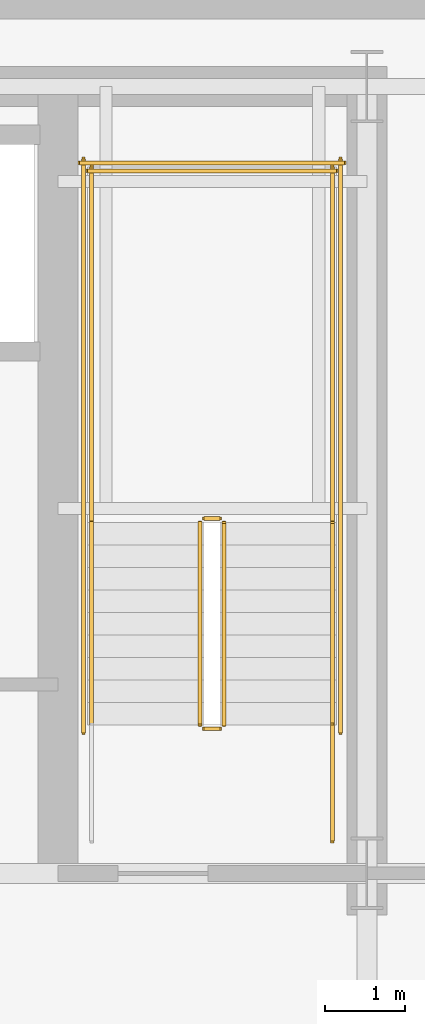
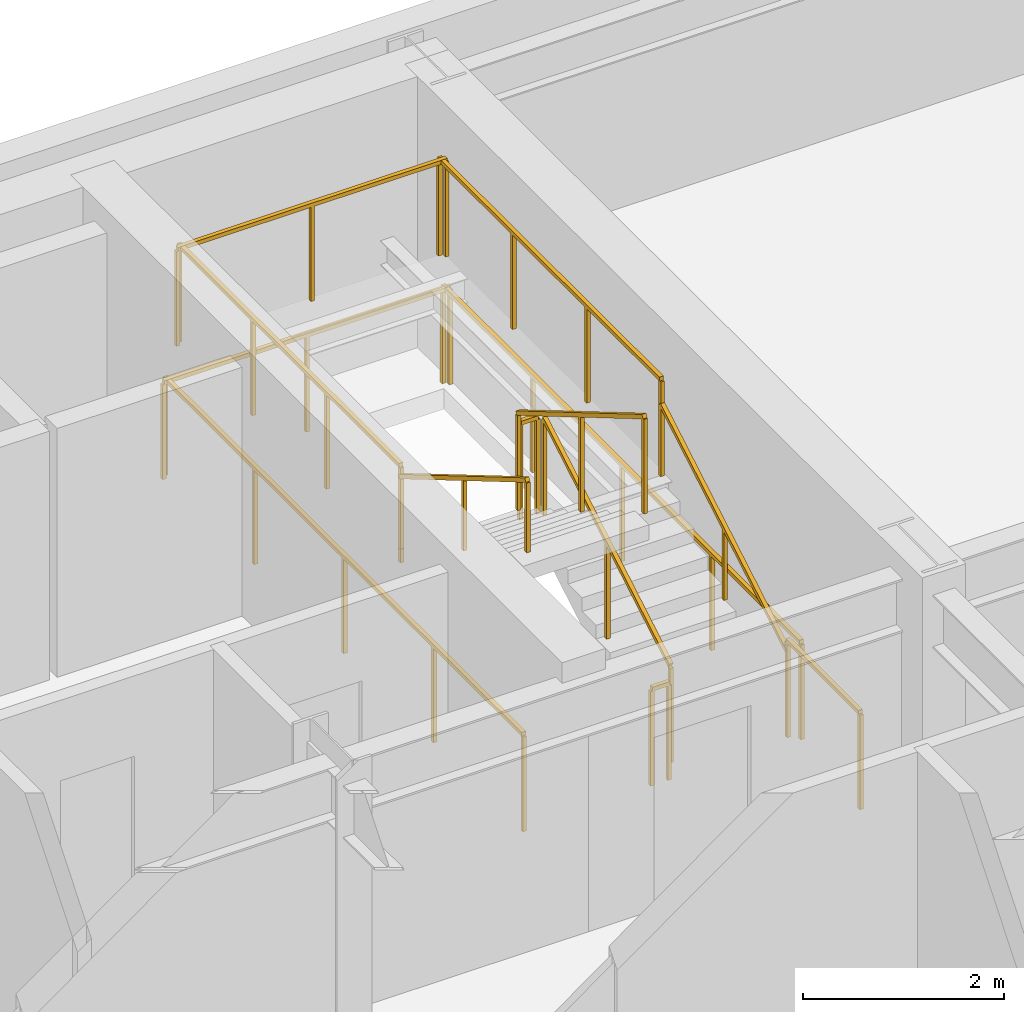
# One storey, part 12 of 14: 13 railings.
"""IFC4 building model written with IfcOpenShell, lengths in metres."""

import ifcopenshell
import ifcopenshell.guid

model = None  # the IFC model being written
_history = None  # IfcOwnerHistory: only IFC2X3 demands one
_inside = {}  # id of a spatial element -> (the spatial element, [elements in it])
_under = {}  # id of a project, library or spatial element -> (it, [spatial elements below it])
_declared = {}  # id of a project -> (the project, [libraries it declares])
_typed = {}  # id of a type object -> (the type object, [elements of that type])
_made_of = {}  # id of a material, layer set ... -> (it, [elements and type objects made of it])


def new_model(schema):
    """Start an empty IFC model of exactly this schema.

    Asked for "IFC4X3", IfcOpenShell would pick the latest addendum, in which some entities
    have other attributes; the version numbers below select the first issue.
    IFC2X3 requires an IfcOwnerHistory on every rooted entity: one is made here for all.
    """
    global model, _history
    if schema == "IFC4X3":
        model = ifcopenshell.file(schema_version=(4, 3, 0, 0))
    else:
        model = ifcopenshell.file(schema=schema)
    _inside.clear()
    _under.clear()
    _declared.clear()
    _typed.clear()
    _made_of.clear()
    _history = None
    if model.schema == "IFC2X3":
        org = make("IfcOrganization", Name="unknown")
        user = make(
            "IfcPersonAndOrganization",
            ThePerson=make("IfcPerson", FamilyName="unknown"),
            TheOrganization=org,
        )
        app = make(
            "IfcApplication",
            ApplicationDeveloper=org,
            Version="unknown",
            ApplicationFullName="unknown",
            ApplicationIdentifier="unknown",
        )
        _history = make(
            "IfcOwnerHistory",
            OwningUser=user,
            OwningApplication=app,
            ChangeAction="ADDED",
            CreationDate=0,
        )
    return model


def make(cls, **values):
    """One entity of the class cls with the attributes given. An attribute that is None is left unset."""
    return model.create_entity(
        cls, **{name: value for name, value in values.items() if value is not None}
    )


def rooted(cls, **values):
    """An entity with a GlobalId (a new one), such as an element, a storey or a relation."""
    return make(cls, GlobalId=ifcopenshell.guid.new(), OwnerHistory=_history, **values)


def si_unit(unit_type, name, prefix=None):
    """IfcSIUnit, for example si_unit("LENGTHUNIT", "METRE", prefix="MILLI")."""
    return make("IfcSIUnit", UnitType=unit_type, Prefix=prefix, Name=name)


def assignment(units):
    """IfcUnitAssignment: the units of a project."""
    return None if units is None else make("IfcUnitAssignment", Units=units)


def point(xyz):
    """IfcCartesianPoint."""
    return None if xyz is None else make("IfcCartesianPoint", Coordinates=xyz)


def direction(xyz):
    """IfcDirection."""
    return None if xyz is None else make("IfcDirection", DirectionRatios=xyz)


def frame(location, z_axis=None, x_axis=None):
    """IfcAxis2Placement3D, a coordinate frame: its origin and axes. An axis left out is left unset."""
    return make(
        "IfcAxis2Placement3D",
        Location=point(location),
        Axis=direction(z_axis),
        RefDirection=direction(x_axis),
    )


def frame_2d(location, x_axis=None):
    """IfcAxis2Placement2D, a coordinate frame in the plane: its origin and x axis."""
    return make(
        "IfcAxis2Placement2D", Location=point(location), RefDirection=direction(x_axis)
    )


def origin():
    """The frame at (0, 0, 0) with its axes left unset."""
    return frame((0.0, 0.0, 0.0))


def origin_2d():
    """The frame at (0, 0) in the plane with its x axis left unset."""
    return frame_2d((0.0, 0.0))


def place(relative_to, where):
    """IfcLocalPlacement: puts the frame where relative to a parent placement (None: the world)."""
    return make(
        "IfcLocalPlacement", PlacementRelTo=relative_to, RelativePlacement=where
    )


def context(
    kind, dimensions, precision=None, world=None, true_north=None, identifier=None
):
    """IfcGeometricRepresentationContext, for example the 3D "Model" context."""
    return make(
        "IfcGeometricRepresentationContext",
        ContextIdentifier=identifier,
        ContextType=kind,
        CoordinateSpaceDimension=dimensions,
        Precision=precision,
        WorldCoordinateSystem=world,
        TrueNorth=true_north,
    )


def subcontext(parent, identifier, kind, view, scale=None):
    """IfcGeometricRepresentationSubContext, for example "Body" below "Model"."""
    return make(
        "IfcGeometricRepresentationSubContext",
        ContextIdentifier=identifier,
        ContextType=kind,
        ParentContext=parent,
        TargetScale=scale,
        TargetView=view,
    )


def project(units=None, contexts=None):
    """IfcProject with its units and contexts."""
    return rooted(
        "IfcProject",
        Name="project",
        RepresentationContexts=contexts,
        UnitsInContext=assignment(units),
    )


def spatial(cls, under=None, at=None, **own):
    """A site, building, storey or space (cls), placed at a placement, below another one or the project."""
    s = rooted(cls, ObjectPlacement=at, **own)
    if under is not None:
        _under.setdefault(under.id(), (under, []))[1].append(s)
    return s


def profile(cls, at=None, kind="AREA", **sizes):
    """A parametric profile (cls). Its sizes go by their IFC names, for example OverallWidth=200.0."""
    return make(cls, ProfileType=kind, Position=at, **sizes)


def rectangle(**sizes):
    """IfcRectangleProfileDef."""
    return profile("IfcRectangleProfileDef", **sizes)


def extrude(swept, where, along, depth):
    """IfcExtrudedAreaSolid: the profile swept, set in the frame where, extruded along a direction by depth."""
    return make(
        "IfcExtrudedAreaSolid",
        SweptArea=swept,
        Position=where,
        ExtrudedDirection=direction(along),
        Depth=depth,
    )


def shape(context_of_items, identifier, shape_type, items):
    """IfcShapeRepresentation: the items that make up one representation, for example the "Body"."""
    return make(
        "IfcShapeRepresentation",
        ContextOfItems=context_of_items,
        RepresentationIdentifier=identifier,
        RepresentationType=shape_type,
        Items=items,
    )


def material(Name=None, Category=None):
    """IfcMaterial."""
    return make("IfcMaterial", Name=Name, Category=Category)


def made_of(thing, what):
    """Note that an element or type object is made of a material, layer set ...; save() writes the relation."""
    if what is not None:
        _made_of.setdefault(what.id(), (what, []))[1].append(thing)
    return thing


def type_object(cls, material=None, **own):
    """A type object (cls), such as IfcWallType, which elements share."""
    return made_of(rooted(cls, **own), material)


def element(
    cls,
    number,
    at=None,
    inside=None,
    cuts=None,
    type_object=None,
    material=None,
    context=None,
    identifier="Body",
    shape_type=None,
    held_by="IfcProductDefinitionShape",
    body=None,
    shapes=None,
    **own,
):
    """One element of the class cls, such as IfcWall. Its Tag is "e" and its number.

    at: its placement. inside: the storey or other place that contains it. cuts: it is an
    opening in that element (IfcRelVoidsElement). A single representation is given by context,
    identifier, shape_type and body (its items); several are given by shapes. held_by: the class
    of the entity that holds the representations. save() writes the other relations.
    """
    e = rooted(cls, Tag="e%d" % number, ObjectPlacement=at, **own)
    if body is not None:
        shapes = [shape(context, identifier, shape_type, body)]
    if shapes is not None:
        e.Representation = make(held_by, Representations=shapes)
    if inside is not None:
        _inside.setdefault(inside.id(), (inside, []))[1].append(e)
    if cuts is not None:
        rooted(
            "IfcRelVoidsElement", RelatingBuildingElement=cuts, RelatedOpeningElement=e
        )
    if type_object is not None:
        _typed.setdefault(type_object.id(), (type_object, []))[1].append(e)
    return made_of(e, material)


def aggregate(whole, parts):
    """IfcRelAggregates: a whole, such as a stair, and the parts it consists of."""
    return rooted("IfcRelAggregates", RelatingObject=whole, RelatedObjects=parts)


def save(model, path):
    """Write the relations noted so far, then the file.

    IfcRelAggregates (storeys below a building ...), IfcRelContainedInSpatialStructure (elements
    in a storey), IfcRelDefinesByType, IfcRelAssociatesMaterial and IfcRelDeclares: one each for
    every whole, place, type object, material and project.
    """
    for whole, parts in _under.values():
        aggregate(whole, parts)
    for where, things in _inside.values():
        rooted(
            "IfcRelContainedInSpatialStructure",
            RelatedElements=things,
            RelatingStructure=where,
        )
    for kind, things in _typed.values():
        rooted("IfcRelDefinesByType", RelatedObjects=things, RelatingType=kind)
    for what, things in _made_of.values():
        rooted("IfcRelAssociatesMaterial", RelatedObjects=things, RelatingMaterial=what)
    for by, libraries in _declared.values():
        rooted("IfcRelDeclares", RelatingContext=by, RelatedDefinitions=libraries)
    model.write(path)


model = new_model("IFC4")

# Units and contexts
model_context = context("Model", 3, precision=1e-05, world=origin(), true_north=direction((0.0, 1.0)))
body_context = subcontext(model_context, "Body", "Model", "MODEL_VIEW")
ifc_project = project(units=[si_unit("LENGTHUNIT", "METRE"), si_unit("AREAUNIT", "SQUARE_METRE"), si_unit("VOLUMEUNIT", "CUBIC_METRE"), si_unit("PLANEANGLEUNIT", "RADIAN"), si_unit("MASSUNIT", "GRAM", prefix="KILO")], contexts=[model_context])

# Site, building, storey
site_placement = place(None, origin())
site = spatial("IfcSite", under=ifc_project, at=site_placement, CompositionType="ELEMENT")
building_placement = place(site_placement, origin())
building = spatial("IfcBuilding", under=site, at=building_placement, Name="Haevon Station Towers", CompositionType="ELEMENT")
storey_placement = place(building_placement, frame((0.0, 0.0, 86.699951171875)))
storey = spatial("IfcBuildingStorey", under=building, at=storey_placement, Name="L22", CompositionType="ELEMENT", Elevation=86.699951171875)

# Railings
ifc_material = material(Name="Steel S355", Category="steel")
railing_type_1 = type_object("IfcRailingType", Name="GRD-STR1200", PredefinedType="GUARDRAIL", material=ifc_material)
railing_1_placement = place(storey_placement, frame((49.219970703125, 40.050048828125, 0.1650390625)))
element("IfcRailing", 1, at=railing_1_placement, inside=storey, type_object=railing_type_1, Name="L22 ST2 Stair Guard 1", PredefinedType="GUARDRAIL", context=body_context, shape_type="SweptSolid", body=[
    extrude(rectangle(XDim=0.048095703125, YDim=0.048095703125, at=origin_2d()), frame((0.0, 0.0, 1.17578125), z_axis=(0.0, 0.86152411907, 0.507716645641), x_axis=(-1.0, 0.0, 0.0)), (0.0, 0.0, 1.0), 2.925048828125),
    extrude(rectangle(XDim=0.0419921875, YDim=0.0419921875, at=origin_2d()), origin(), (0.0, 0.0, 1.0), 1.15185546875),
    extrude(rectangle(XDim=0.0419921875, YDim=0.0419921875, at=origin_2d()), frame((0.0, 1.260009765625, 0.74267578125)), (0.0, 0.0, 1.0), 1.15185546875),
    extrude(rectangle(XDim=0.0419921875, YDim=0.0419921875, at=origin_2d()), frame((0.0, 2.52001953125, 1.485107421875)), (0.0, 0.0, 1.0), 1.15185546875),
])
railing_2_placement = place(storey_placement, frame((49.169921875, 42.6201171875, 1.650146484375)))
element("IfcRailing", 2, at=railing_2_placement, inside=storey, type_object=railing_type_1, Name="L22 ST2 Stair Guard 2", PredefinedType="GUARDRAIL", context=body_context, shape_type="SweptSolid", body=[
    extrude(rectangle(XDim=0.048095703125, YDim=0.048095703125, at=origin_2d()), frame((0.0, 0.0, 1.17578125), z_axis=(-1.0, 0.0, 0.0), x_axis=(0.0, -1.0, 0.0)), (0.0, 0.0, 1.0), 0.199951171875),
    extrude(rectangle(XDim=0.0419921875, YDim=0.0419921875, at=origin_2d()), origin(), (0.0, 0.0, 1.0), 1.15185546875),
    extrude(rectangle(XDim=0.0419921875, YDim=0.0419921875, at=origin_2d()), frame((-0.199951171875, 0.0, 0.0)), (0.0, 0.0, 1.0), 1.15185546875),
])
for number, where, name in (
    (3, (50.570068359375, 42.570068359375, 1.650146484375), "L22 ST2 Stair Guard 3"),
    (4, (47.570068359375, 42.570068359375, 1.650146484375), "L22 ST2 Stair Guard 4"),
):
    element("IfcRailing", number, at=place(storey_placement, frame(where)), inside=storey, type_object=railing_type_1, Name=name, PredefinedType="GUARDRAIL", context=body_context, shape_type="SweptSolid", body=[
        extrude(rectangle(XDim=0.048095703125, YDim=0.048095703125, at=origin_2d()), frame((0.0, 0.0, 1.17578125), z_axis=(0.0, 1.0, 0.0), x_axis=(-1.0, 0.0, 0.0)), (0.0, 0.0, 1.0), 4.429931640625),
        extrude(rectangle(XDim=0.0419921875, YDim=0.0419921875, at=origin_2d()), origin(), (0.0, 0.0, 1.0), 1.15185546875),
        extrude(rectangle(XDim=0.0419921875, YDim=0.0419921875, at=origin_2d()), frame((0.0, 1.4765625, 0.0)), (0.0, 0.0, 1.0), 1.15185546875),
        extrude(rectangle(XDim=0.0419921875, YDim=0.0419921875, at=origin_2d()), frame((0.0, 2.953369140625, 0.0)), (0.0, 0.0, 1.0), 1.15185546875),
        extrude(rectangle(XDim=0.0419921875, YDim=0.0419921875, at=origin_2d()), frame((0.0, 4.429931640625, 0.0)), (0.0, 0.0, 1.0), 1.15185546875),
    ])
railing_3_placement = place(storey_placement, frame((50.6201171875, 46.949951171875, 1.650146484375)))
element("IfcRailing", 5, at=railing_3_placement, inside=storey, type_object=railing_type_1, Name="L22 ST2 Stair Guard 5", PredefinedType="GUARDRAIL", context=body_context, shape_type="SweptSolid", body=[
    extrude(rectangle(XDim=0.048095703125, YDim=0.048095703125, at=origin_2d()), frame((0.0, 0.0, 1.17578125), z_axis=(-1.0, 0.0, 0.0), x_axis=(0.0, -1.0, 0.0)), (0.0, 0.0, 1.0), 3.10009765625),
    extrude(rectangle(XDim=0.0419921875, YDim=0.0419921875, at=origin_2d()), origin(), (0.0, 0.0, 1.0), 1.15185546875),
    extrude(rectangle(XDim=0.0419921875, YDim=0.0419921875, at=origin_2d()), frame((-1.550048828125, 0.0, 0.0)), (0.0, 0.0, 1.0), 1.15185546875),
    extrude(rectangle(XDim=0.0419921875, YDim=0.0419921875, at=origin_2d()), frame((-3.10009765625, 0.0, 0.0)), (0.0, 0.0, 1.0), 1.15185546875),
])
railing_4_placement = place(storey_placement, frame((48.919921875, 42.570068359375, 1.81494140625)))
element("IfcRailing", 6, at=railing_4_placement, inside=storey, type_object=railing_type_1, Name="L22 ST2 Stair Guard 6", PredefinedType="GUARDRAIL", context=body_context, shape_type="SweptSolid", body=[
    extrude(rectangle(XDim=0.048095703125, YDim=0.048095703125, at=origin_2d()), frame((0.0, 0.0, 1.17578125), z_axis=(0.0, -0.86152411907, 0.507716645641), x_axis=(1.0, 0.0, 0.0)), (0.0, 0.0, 1.0), 2.925048828125),
    extrude(rectangle(XDim=0.0419921875, YDim=0.0419921875, at=origin_2d()), origin(), (0.0, 0.0, 1.0), 1.15185546875),
    extrude(rectangle(XDim=0.0419921875, YDim=0.0419921875, at=origin_2d()), frame((0.0, -1.260009765625, 0.74267578125)), (0.0, 0.0, 1.0), 1.15185546875),
    extrude(rectangle(XDim=0.0419921875, YDim=0.0419921875, at=origin_2d()), frame((0.0, -2.52001953125, 1.485107421875)), (0.0, 0.0, 1.0), 1.15185546875),
])
railing_5_placement = place(storey_placement, frame((49.169921875, 40.0, 0.0)))
element("IfcRailing", 7, at=railing_5_placement, inside=storey, type_object=railing_type_1, Name="L22 ST2 Stair Guard 7", PredefinedType="GUARDRAIL", context=body_context, shape_type="SweptSolid", body=[
    extrude(rectangle(XDim=0.048095703125, YDim=0.048095703125, at=origin_2d()), frame((0.0, 0.0, 1.17578125), z_axis=(-1.0, 0.0, 0.0), x_axis=(0.0, -1.0, 0.0)), (0.0, 0.0, 1.0), 0.199951171875),
    extrude(rectangle(XDim=0.0419921875, YDim=0.0419921875, at=origin_2d()), origin(), (0.0, 0.0, 1.0), 1.15185546875),
    extrude(rectangle(XDim=0.0419921875, YDim=0.0419921875, at=origin_2d()), frame((-0.199951171875, 0.0, 0.0)), (0.0, 0.0, 1.0), 1.15185546875),
])
railing_6_placement = place(storey_placement, frame((50.570068359375, 38.60009765625, 0.0)))
element("IfcRailing", 8, at=railing_6_placement, inside=storey, type_object=railing_type_1, Name="L22 ST2 Stair Guard 8", PredefinedType="GUARDRAIL", context=body_context, shape_type="SweptSolid", body=[
    extrude(rectangle(XDim=0.048095703125, YDim=0.048095703125, at=origin_2d()), frame((0.0, 0.0, 1.17578125), z_axis=(0.0, 1.0, 0.0), x_axis=(-1.0, 0.0, 0.0)), (0.0, 0.0, 1.0), 1.449951171875),
    extrude(rectangle(XDim=0.0419921875, YDim=0.0419921875, at=origin_2d()), origin(), (0.0, 0.0, 1.0), 1.15185546875),
    extrude(rectangle(XDim=0.0419921875, YDim=0.0419921875, at=origin_2d()), frame((0.0, 1.449951171875, 0.0)), (0.0, 0.0, 1.0), 1.15185546875),
])
for number, where, name in (
    (9, (50.669921875, 39.949951171875, 0.0), "L22 ST2 Stair Guard 10"),
    (10, (47.469970703125, 39.949951171875, 0.0), "L22 ST2 Stair Guard 11"),
):
    element("IfcRailing", number, at=place(storey_placement, frame(where)), inside=storey, type_object=railing_type_1, Name=name, PredefinedType="GUARDRAIL", context=body_context, shape_type="SweptSolid", body=[
        extrude(rectangle(XDim=0.048095703125, YDim=0.048095703125, at=origin_2d()), frame((0.0, 0.0, 1.17578125), z_axis=(0.0, 1.0, 0.0), x_axis=(-1.0, 0.0, 0.0)), (0.0, 0.0, 1.0), 7.150146484375),
        extrude(rectangle(XDim=0.0419921875, YDim=0.0419921875, at=origin_2d()), origin(), (0.0, 0.0, 1.0), 1.15185546875),
        extrude(rectangle(XDim=0.0419921875, YDim=0.0419921875, at=origin_2d()), frame((0.0, 1.78759765625, 0.0)), (0.0, 0.0, 1.0), 1.15185546875),
        extrude(rectangle(XDim=0.0419921875, YDim=0.0419921875, at=origin_2d()), frame((0.0, 3.5751953125, 0.0)), (0.0, 0.0, 1.0), 1.15185546875),
        extrude(rectangle(XDim=0.0419921875, YDim=0.0419921875, at=origin_2d()), frame((0.0, 5.362548828125, 0.0)), (0.0, 0.0, 1.0), 1.15185546875),
        extrude(rectangle(XDim=0.0419921875, YDim=0.0419921875, at=origin_2d()), frame((0.0, 7.150146484375, 0.0)), (0.0, 0.0, 1.0), 1.15185546875),
    ])
railing_7_placement = place(storey_placement, frame((50.719970703125, 47.050048828125, 0.0)))
element("IfcRailing", 11, at=railing_7_placement, inside=storey, type_object=railing_type_1, Name="L22 ST2 Stair Guard 12", PredefinedType="GUARDRAIL", context=body_context, shape_type="SweptSolid", body=[
    extrude(rectangle(XDim=0.048095703125, YDim=0.048095703125, at=origin_2d()), frame((0.0, 0.0, 1.17578125), z_axis=(-1.0, 0.0, 0.0), x_axis=(0.0, -1.0, 0.0)), (0.0, 0.0, 1.0), 3.300048828125),
    extrude(rectangle(XDim=0.0419921875, YDim=0.0419921875, at=origin_2d()), origin(), (0.0, 0.0, 1.0), 1.15185546875),
    extrude(rectangle(XDim=0.0419921875, YDim=0.0419921875, at=origin_2d()), frame((-1.64990234375, 0.0, 0.0)), (0.0, 0.0, 1.0), 1.15185546875),
    extrude(rectangle(XDim=0.0419921875, YDim=0.0419921875, at=origin_2d()), frame((-3.300048828125, 0.0, 0.0)), (0.0, 0.0, 1.0), 1.15185546875),
])
railing_type_2 = type_object("IfcRailingType", Name="HND-STR900", PredefinedType="HANDRAIL", material=ifc_material)
railing_8_placement = place(storey_placement, frame((50.570068359375, 40.050048828125, 0.1650390625)))
element("IfcRailing", 12, at=railing_8_placement, inside=storey, type_object=railing_type_2, Name="L22 ST2 Stair Handrail 1", PredefinedType="HANDRAIL", context=body_context, shape_type="SweptSolid", body=[
    extrude(rectangle(XDim=0.048095703125, YDim=0.048095703125, at=origin_2d()), frame((0.0, 0.0, 0.8759765625), z_axis=(0.0, 0.86152411907, 0.507716645641), x_axis=(-1.0, 0.0, 0.0)), (0.0, 0.0, 1.0), 2.925048828125),
    extrude(rectangle(XDim=0.0419921875, YDim=0.0419921875, at=origin_2d()), origin(), (0.0, 0.0, 1.0), 0.851806640625),
    extrude(rectangle(XDim=0.0419921875, YDim=0.0419921875, at=origin_2d()), frame((0.0, 1.260009765625, 0.74267578125)), (0.0, 0.0, 1.0), 0.851806640625),
    extrude(rectangle(XDim=0.0419921875, YDim=0.0419921875, at=origin_2d()), frame((0.0, 2.52001953125, 1.485107421875)), (0.0, 0.0, 1.0), 0.851806640625),
])
railing_9_placement = place(storey_placement, frame((47.570068359375, 42.570068359375, 1.81494140625)))
element("IfcRailing", 13, at=railing_9_placement, inside=storey, type_object=railing_type_2, Name="L22 ST2 Stair Handrail 2", PredefinedType="HANDRAIL", context=body_context, shape_type="SweptSolid", body=[
    extrude(rectangle(XDim=0.048095703125, YDim=0.048095703125, at=origin_2d()), frame((0.0, 0.0, 0.8759765625), z_axis=(0.0, -0.86152411907, 0.507716645641), x_axis=(1.0, 0.0, 0.0)), (0.0, 0.0, 1.0), 2.925048828125),
    extrude(rectangle(XDim=0.0419921875, YDim=0.0419921875, at=origin_2d()), origin(), (0.0, 0.0, 1.0), 0.851806640625),
    extrude(rectangle(XDim=0.0419921875, YDim=0.0419921875, at=origin_2d()), frame((0.0, -1.260009765625, 0.74267578125)), (0.0, 0.0, 1.0), 0.851806640625),
    extrude(rectangle(XDim=0.0419921875, YDim=0.0419921875, at=origin_2d()), frame((0.0, -2.52001953125, 1.485107421875)), (0.0, 0.0, 1.0), 0.851806640625),
])

save(model, "model.ifc")
